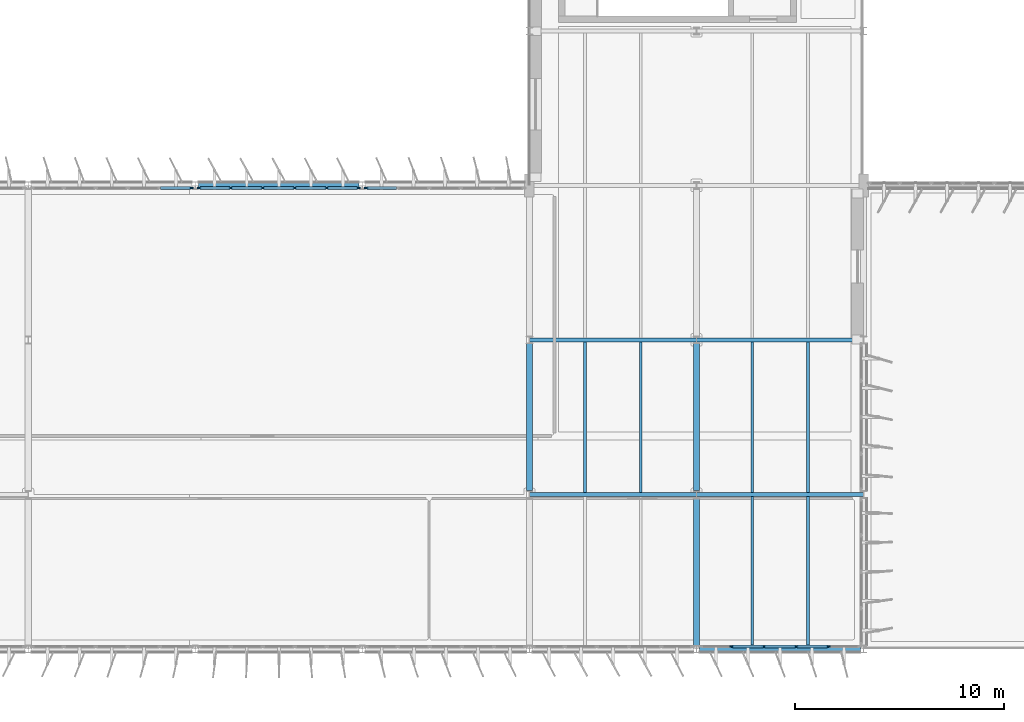
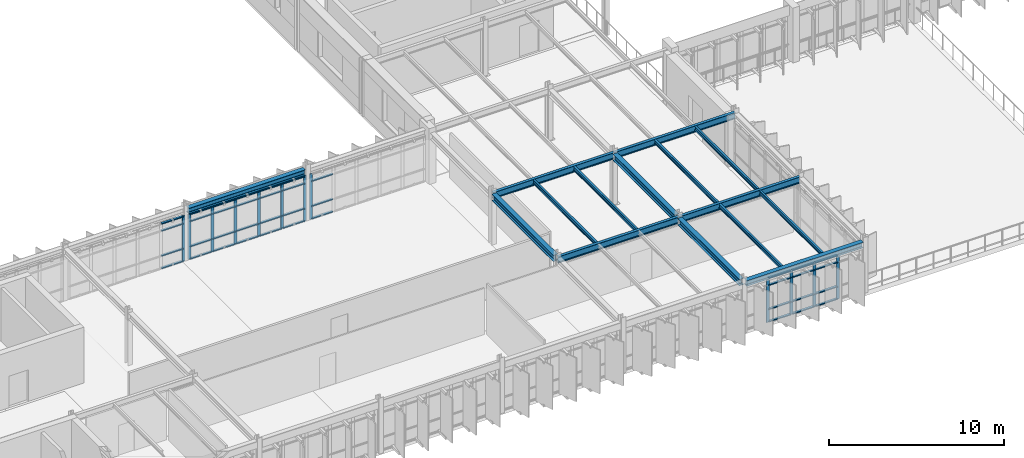
# One storey, part 16 of 45: 51 members, 15 beams, 4 elements without a shape of their own.
"""IFC4 building model written with IfcOpenShell, lengths in metres."""

from ifc_helpers import new_model, si_unit, direction, frame, origin, origin_2d, place, context, subcontext, project, spatial, rectangle, i_section, extrude, material, layer, layer_set, material_profile, profile_set, type_object, element, aggregate, save


model = new_model("IFC4")

# Units and contexts
model_context = context("Model", 3, precision=1e-05, world=origin(), true_north=direction((0.0, 1.0)))
body_context = subcontext(model_context, "Body", "Model", "MODEL_VIEW")
ifc_project = project(units=[si_unit("LENGTHUNIT", "METRE"), si_unit("AREAUNIT", "SQUARE_METRE"), si_unit("VOLUMEUNIT", "CUBIC_METRE"), si_unit("PLANEANGLEUNIT", "RADIAN"), si_unit("MASSUNIT", "GRAM", prefix="KILO")], contexts=[model_context])

# Site, building, storey
site_placement = place(None, origin())
site = spatial("IfcSite", under=ifc_project, at=site_placement, CompositionType="ELEMENT")
building_placement = place(site_placement, origin())
building = spatial("IfcBuilding", under=site, at=building_placement, Name="Valkorina Park Police Headquarters", CompositionType="ELEMENT")
storey_placement = place(building_placement, frame((0.0, 0.0, 23.300048828125)))
storey = spatial("IfcBuildingStorey", under=building, at=storey_placement, Name="L06", CompositionType="ELEMENT", Elevation=23.300048828125)

# Beams
ifc_material_1 = material(Name="Steel S355", Category="steel")
ifc_material_profile_1 = material_profile(ifc_material_1, i_section(OverallWidth=0.300048828125, OverallDepth=0.389892578125, WebThickness=0.010986328125, FlangeThickness=0.01904296875, FilletRadius=0.027099609375, at=origin_2d()), Name="HEA 400")
ifc_profile_set_1 = profile_set([ifc_material_profile_1], Name="Steel S355")
beam_type_1 = type_object("IfcBeamType", Name="BM-S355-HEA400-SPN", PredefinedType="SPANDREL", material=ifc_profile_set_1)
for number, where, z_axis, x_axis, name in (
    (1, (88.949951171875, 37.0, 3.375), (1.0, 0.0, 0.0), (0.0, 1.0, 0.0), "L06 Framing Beam 2613"),
    (2, (64.949951171875, 59.199951171875, 3.375), (1.0, 0.0, 0.0), (0.0, 1.0, 0.0), "L06 Framing Beam 2637"),
):
    element("IfcBeam", number, at=place(storey_placement, frame(where, z_axis=z_axis, x_axis=x_axis)), inside=storey, type_object=beam_type_1, Name=name, PredefinedType="SPANDREL", context=body_context, shape_type="SweptSolid", body=[
        extrude(i_section(OverallWidth=0.300048828125, OverallDepth=0.389892578125, WebThickness=0.010986328125, FlangeThickness=0.01904296875, FilletRadius=0.027099609375, at=origin_2d()), origin(), (0.0, 0.0, 1.0), 7.699951171875),
    ])
ifc_material_profile_2 = material_profile(ifc_material_1, i_section(OverallWidth=0.300048828125, OverallDepth=0.449951171875, WebThickness=0.013916015625, FlangeThickness=0.02587890625, FilletRadius=0.027099609375, at=origin_2d()), Name="HEB 450")
ifc_profile_set_2 = profile_set([ifc_material_profile_2], Name="Steel S355")
beam_type_2 = type_object("IfcBeamType", Name="BM-S355-HEB450-BM", PredefinedType="BEAM", material=ifc_profile_set_2)
for number, where, z_axis, x_axis, name in (
    (3, (80.800048828125, 44.580078125, 3.344970703125), (0.0, 1.0, 0.0), (-1.0, 0.0, 0.0), "L06 Framing Beam 2698"),
    (4, (88.800048828125, 37.179931640625, 3.344970703125), (0.0, 1.0, 0.0), (-1.0, 0.0, 0.0), "L06 Framing Beam 2708"),
    (5, (88.800048828125, 44.580078125, 3.344970703125), (0.0, 1.0, 0.0), (-1.0, 0.0, 0.0), "L06 Framing Beam 2711"),
):
    element("IfcBeam", number, at=place(storey_placement, frame(where, z_axis=z_axis, x_axis=x_axis)), inside=storey, type_object=beam_type_2, Name=name, PredefinedType="BEAM", context=body_context, shape_type="SweptSolid", body=[
        extrude(i_section(OverallWidth=0.300048828125, OverallDepth=0.449951171875, WebThickness=0.013916015625, FlangeThickness=0.02587890625, FilletRadius=0.027099609375, at=origin_2d()), origin(), (0.0, 0.0, 1.0), 7.0400390625),
    ])
ifc_material_profile_3 = material_profile(ifc_material_1, i_section(OverallWidth=0.135009765625, OverallDepth=0.27001953125, WebThickness=0.006591796875, FlangeThickness=0.01025390625, FilletRadius=0.014892578125, at=origin_2d()), Name="IPE 270")
ifc_profile_set_3 = profile_set([ifc_material_profile_3], Name="Steel S355")
beam_type_3 = type_object("IfcBeamType", Name="BM-S355-IPE270-JST", PredefinedType="JOIST", material=ifc_profile_set_3)
for number, where, z_axis, x_axis, name in (
    (6, (83.466796875, 44.4951171875, 3.43505859375), (0.0, 1.0, 0.0), (-1.0, 0.0, 0.0), "L06 Framing Beam 2699"),
    (7, (86.13330078125, 44.4951171875, 3.43505859375), (0.0, 1.0, 0.0), (-1.0, 0.0, 0.0), "L06 Framing Beam 2700"),
):
    element("IfcBeam", number, at=place(storey_placement, frame(where, z_axis=z_axis, x_axis=x_axis)), inside=storey, type_object=beam_type_3, Name=name, PredefinedType="JOIST", context=body_context, shape_type="SweptSolid", body=[
        extrude(i_section(OverallWidth=0.135009765625, OverallDepth=0.27001953125, WebThickness=0.006591796875, FlangeThickness=0.01025390625, FilletRadius=0.014892578125, at=origin_2d()), origin(), (0.0, 0.0, 1.0), 7.2099609375),
    ])
for number, where, z_axis, x_axis, name in (
    (8, (91.466796875, 37.14990234375, 3.43505859375), (0.0, 1.0, 0.0), (-1.0, 0.0, 0.0), "L06 Framing Beam 2709"),
    (9, (94.13330078125, 37.14990234375, 3.43505859375), (0.0, 1.0, 0.0), (-1.0, 0.0, 0.0), "L06 Framing Beam 2710"),
):
    element("IfcBeam", number, at=place(storey_placement, frame(where, z_axis=z_axis, x_axis=x_axis)), inside=storey, type_object=beam_type_3, Name=name, PredefinedType="JOIST", context=body_context, shape_type="SweptSolid", body=[
        extrude(i_section(OverallWidth=0.135009765625, OverallDepth=0.27001953125, WebThickness=0.006591796875, FlangeThickness=0.01025390625, FilletRadius=0.014892578125, at=origin_2d()), origin(), (0.0, 0.0, 1.0), 7.155029296875),
    ])
for number, where, z_axis, x_axis, name in (
    (10, (91.466796875, 44.4951171875, 3.43505859375), (0.0, 1.0, 0.0), (-1.0, 0.0, 0.0), "L06 Framing Beam 2712"),
    (11, (94.13330078125, 44.4951171875, 3.43505859375), (0.0, 1.0, 0.0), (-1.0, 0.0, 0.0), "L06 Framing Beam 2713"),
):
    element("IfcBeam", number, at=place(storey_placement, frame(where, z_axis=z_axis, x_axis=x_axis)), inside=storey, type_object=beam_type_3, Name=name, PredefinedType="JOIST", context=body_context, shape_type="SweptSolid", body=[
        extrude(i_section(OverallWidth=0.135009765625, OverallDepth=0.27001953125, WebThickness=0.006591796875, FlangeThickness=0.01025390625, FilletRadius=0.014892578125, at=origin_2d()), origin(), (0.0, 0.0, 1.0), 7.2099609375),
    ])
ifc_material_profile_4 = material_profile(ifc_material_1, i_section(OverallWidth=0.18994140625, OverallDepth=0.449951171875, WebThickness=0.009521484375, FlangeThickness=0.0146484375, FilletRadius=0.02099609375, at=origin_2d()), Name="IPE 450")
ifc_profile_set_4 = profile_set([ifc_material_profile_4], Name="Steel S355")
beam_type_4 = type_object("IfcBeamType", Name="BM-S355-IPE450-BM", PredefinedType="BEAM", material=ifc_profile_set_4)
for number, where, z_axis, x_axis, name in (
    (12, (80.806396484375, 44.39990234375, 3.344970703125), (1.0, 0.0, 0.0), (0.0, 1.0, 0.0), "L06 Framing Beam 2621"),
    (13, (88.806396484375, 44.39990234375, 3.344970703125), (1.0, 0.0, 0.0), (0.0, 1.0, 0.0), "L06 Framing Beam 2622"),
    (14, (80.806396484375, 51.800048828125, 3.344970703125), (1.0, 0.0, 0.0), (0.0, 1.0, 0.0), "L06 Framing Beam 2627"),
    (15, (88.806396484375, 51.800048828125, 3.344970703125), (1.0, 0.0, 0.0), (0.0, 1.0, 0.0), "L06 Framing Beam 2628"),
):
    element("IfcBeam", number, at=place(storey_placement, frame(where, z_axis=z_axis, x_axis=x_axis)), inside=storey, type_object=beam_type_4, Name=name, PredefinedType="BEAM", context=body_context, shape_type="SweptSolid", body=[
        extrude(i_section(OverallWidth=0.18994140625, OverallDepth=0.449951171875, WebThickness=0.009521484375, FlangeThickness=0.0146484375, FilletRadius=0.02099609375, at=origin_2d()), origin(), (0.0, 0.0, 1.0), 7.9873046875),
    ])

# Curtain wall, member
ifc_material_2 = material(Name="Thermally broken aluminium AW-6060", Category="aluminium")
ifc_layer_1 = layer(ifc_material_2, 0.18994140625)
ifc_layer_set_1 = layer_set([ifc_layer_1], Name="Thermally broken aluminium AW-6060")
curtain_wall_type_1 = type_object("IfcCurtainWallType", Name="CW-V5-7680x3170", PredefinedType="NOTDEFINED", material=ifc_layer_set_1)
curtain_wall_1_placement = place(storey_placement, origin())
curtain_wall_1 = element("IfcCurtainWall", 16, at=curtain_wall_1_placement, inside=storey, type_object=curtain_wall_type_1, Name="L06 Unitised Curtain Wall 107", PredefinedType="NOTDEFINED")
ifc_material_profile_5 = material_profile(ifc_material_2, rectangle(XDim=0.070068359375, YDim=0.18994140625, at=origin_2d()), Name="CWM-02 70x190")
ifc_profile_set_5 = profile_set([ifc_material_profile_5], Name="Thermally broken aluminium AW-6060")
member_type_1 = type_object("IfcMemberType", Name="CWM-70x190", PredefinedType="MULLION", material=ifc_profile_set_5)
member_1_placement = place(storey_placement, frame((64.60498046875, 59.080078125, 0.0), z_axis=(0.0, 0.0, 1.0), x_axis=(0.0, 1.0, 0.0)))
member_1 = element("IfcMember", 17, at=member_1_placement, type_object=member_type_1, Name="CW-V5-768-317 mullion 6", PredefinedType="MULLION", context=body_context, shape_type="SweptSolid", body=[
    extrude(rectangle(XDim=0.070068359375, YDim=0.18994140625, at=origin_2d()), origin(), (0.0, 0.0, 1.0), 3.169921875),
])

# Curtain wall, members
curtain_wall_2_placement = place(storey_placement, origin())
curtain_wall_2 = element("IfcCurtainWall", 18, at=curtain_wall_2_placement, inside=storey, type_object=curtain_wall_type_1, Name="L06 Unitised Curtain Wall 108", PredefinedType="NOTDEFINED")
member_2_placement = place(storey_placement, frame((64.9951171875, 59.080078125, 0.0), z_axis=(0.0, 0.0, 1.0), x_axis=(0.0, 1.0, 0.0)))
member_2 = element("IfcMember", 19, at=member_2_placement, type_object=member_type_1, Name="CW-V5-768-317 mullion 1", PredefinedType="MULLION", context=body_context, shape_type="SweptSolid", body=[
    extrude(rectangle(XDim=0.070068359375, YDim=0.18994140625, at=origin_2d()), origin(), (0.0, 0.0, 1.0), 3.169921875),
])
member_3_placement = place(storey_placement, frame((66.49609375, 59.080078125, 0.0), z_axis=(0.0, 0.0, 1.0), x_axis=(0.0, 1.0, 0.0)))
member_3 = element("IfcMember", 20, at=member_3_placement, type_object=member_type_1, Name="CW-V5-768-317 mullion 2", PredefinedType="MULLION", context=body_context, shape_type="SweptSolid", body=[
    extrude(rectangle(XDim=0.070068359375, YDim=0.18994140625, at=origin_2d()), origin(), (0.0, 0.0, 1.0), 3.169921875),
])
member_4_placement = place(storey_placement, frame((68.031982421875, 59.080078125, 0.0), z_axis=(0.0, 0.0, 1.0), x_axis=(0.0, 1.0, 0.0)))
member_4 = element("IfcMember", 21, at=member_4_placement, type_object=member_type_1, Name="CW-V5-768-317 mullion 3", PredefinedType="MULLION", context=body_context, shape_type="SweptSolid", body=[
    extrude(rectangle(XDim=0.070068359375, YDim=0.18994140625, at=origin_2d()), origin(), (0.0, 0.0, 1.0), 3.169921875),
])
member_5_placement = place(storey_placement, frame((69.568115234375, 59.080078125, 0.0), z_axis=(0.0, 0.0, 1.0), x_axis=(0.0, 1.0, 0.0)))
member_5 = element("IfcMember", 22, at=member_5_placement, type_object=member_type_1, Name="CW-V5-768-317 mullion 4", PredefinedType="MULLION", context=body_context, shape_type="SweptSolid", body=[
    extrude(rectangle(XDim=0.070068359375, YDim=0.18994140625, at=origin_2d()), origin(), (0.0, 0.0, 1.0), 3.169921875),
])
member_6_placement = place(storey_placement, frame((71.10400390625, 59.080078125, 0.0), z_axis=(0.0, 0.0, 1.0), x_axis=(0.0, 1.0, 0.0)))
member_6 = element("IfcMember", 23, at=member_6_placement, type_object=member_type_1, Name="CW-V5-768-317 mullion 5", PredefinedType="MULLION", context=body_context, shape_type="SweptSolid", body=[
    extrude(rectangle(XDim=0.070068359375, YDim=0.18994140625, at=origin_2d()), origin(), (0.0, 0.0, 1.0), 3.169921875),
])
member_7_placement = place(storey_placement, frame((72.60498046875, 59.080078125, 0.0), z_axis=(0.0, 0.0, 1.0), x_axis=(0.0, 1.0, 0.0)))
member_7 = element("IfcMember", 24, at=member_7_placement, type_object=member_type_1, Name="CW-V5-768-317 mullion 6", PredefinedType="MULLION", context=body_context, shape_type="SweptSolid", body=[
    extrude(rectangle(XDim=0.070068359375, YDim=0.18994140625, at=origin_2d()), origin(), (0.0, 0.0, 1.0), 3.169921875),
])

# Curtain wall, member
ifc_layer_2 = layer(ifc_material_2, 0.18994140625)
ifc_layer_set_2 = layer_set([ifc_layer_2], Name="Thermally broken aluminium AW-6060")
curtain_wall_type_2 = type_object("IfcCurtainWallType", Name="CW-V5-7600x3170", PredefinedType="NOTDEFINED", material=ifc_layer_set_2)
curtain_wall_3_placement = place(storey_placement, origin())
curtain_wall_3 = element("IfcCurtainWall", 25, at=curtain_wall_3_placement, inside=storey, type_object=curtain_wall_type_2, Name="L06 Unitised Curtain Wall 109", PredefinedType="NOTDEFINED")
member_8_placement = place(storey_placement, frame((72.9951171875, 59.080078125, 0.0), z_axis=(0.0, 0.0, 1.0), x_axis=(0.0, 1.0, 0.0)))
member_8 = element("IfcMember", 26, at=member_8_placement, type_object=member_type_1, Name="CW-V5-760-317 mullion 1", PredefinedType="MULLION", context=body_context, shape_type="SweptSolid", body=[
    extrude(rectangle(XDim=0.070068359375, YDim=0.18994140625, at=origin_2d()), origin(), (0.0, 0.0, 1.0), 3.169921875),
])

# Curtain wall, members
ifc_layer_3 = layer(ifc_material_2, 0.18994140625)
ifc_layer_set_3 = layer_set([ifc_layer_3], Name="Thermally broken aluminium AW-6060")
curtain_wall_type_3 = type_object("IfcCurtainWallType", Name="CW-V5-7680x3110", PredefinedType="NOTDEFINED", material=ifc_layer_set_3)
curtain_wall_4_placement = place(storey_placement, origin())
curtain_wall_4 = element("IfcCurtainWall", 27, at=curtain_wall_4_placement, inside=storey, type_object=curtain_wall_type_3, Name="L06 Unitised Curtain Wall 121", PredefinedType="NOTDEFINED")
member_9_placement = place(storey_placement, frame((95.10400390625, 37.1201171875, 0.0), z_axis=(0.0, 0.0, 1.0), x_axis=(0.0, -1.0, 0.0)))
member_9 = element("IfcMember", 28, at=member_9_placement, type_object=member_type_1, Name="CW-V5-768-311 mullion 2", PredefinedType="MULLION", context=body_context, shape_type="SweptSolid", body=[
    extrude(rectangle(XDim=0.070068359375, YDim=0.18994140625, at=origin_2d()), origin(), (0.0, 0.0, 1.0), 3.10986328125),
])
member_10_placement = place(storey_placement, frame((93.568115234375, 37.1201171875, 0.0), z_axis=(0.0, 0.0, 1.0), x_axis=(0.0, -1.0, 0.0)))
member_10 = element("IfcMember", 29, at=member_10_placement, type_object=member_type_1, Name="CW-V5-768-311 mullion 3", PredefinedType="MULLION", context=body_context, shape_type="SweptSolid", body=[
    extrude(rectangle(XDim=0.070068359375, YDim=0.18994140625, at=origin_2d()), origin(), (0.0, 0.0, 1.0), 3.10986328125),
])
member_11_placement = place(storey_placement, frame((92.031982421875, 37.1201171875, 0.0), z_axis=(0.0, 0.0, 1.0), x_axis=(0.0, -1.0, 0.0)))
member_11 = element("IfcMember", 30, at=member_11_placement, type_object=member_type_1, Name="CW-V5-768-311 mullion 4", PredefinedType="MULLION", context=body_context, shape_type="SweptSolid", body=[
    extrude(rectangle(XDim=0.070068359375, YDim=0.18994140625, at=origin_2d()), origin(), (0.0, 0.0, 1.0), 3.10986328125),
])
member_12_placement = place(storey_placement, frame((90.49609375, 37.1201171875, 0.0), z_axis=(0.0, 0.0, 1.0), x_axis=(0.0, -1.0, 0.0)))
member_12 = element("IfcMember", 31, at=member_12_placement, type_object=member_type_1, Name="CW-V5-768-311 mullion 5", PredefinedType="MULLION", context=body_context, shape_type="SweptSolid", body=[
    extrude(rectangle(XDim=0.070068359375, YDim=0.18994140625, at=origin_2d()), origin(), (0.0, 0.0, 1.0), 3.10986328125),
])

# Member
ifc_material_profile_6 = material_profile(ifc_material_2, rectangle(XDim=0.14990234375, YDim=0.070068359375, at=origin_2d()), Name="CWT-02 150x70")
ifc_profile_set_6 = profile_set([ifc_material_profile_6], Name="Thermally broken aluminium AW-6060")
member_type_2 = type_object("IfcMemberType", Name="CWT-150x70", PredefinedType="USERDEFINED", material=ifc_profile_set_6)
member_13_placement = place(storey_placement, frame((63.138916015625, 59.080078125, 0.034912109375), z_axis=(1.0, 0.0, 0.0), x_axis=(0.0, 1.0, 0.0)))
member_13 = element("IfcMember", 32, at=member_13_placement, type_object=member_type_2, Name="CW-V5-768-317 transom 5.1", ObjectType="TRANSOM", PredefinedType="USERDEFINED", context=body_context, shape_type="SweptSolid", body=[
    extrude(rectangle(XDim=0.14990234375, YDim=0.070068359375, at=origin_2d()), origin(), (0.0, 0.0, 1.0), 1.43115234375),
])

member_14_placement = place(storey_placement, frame((63.138916015625, 59.080078125, 0.89990234375), z_axis=(1.0, 0.0, 0.0), x_axis=(0.0, 1.0, 0.0)))
member_14 = element("IfcMember", 33, at=member_14_placement, type_object=member_type_2, Name="CW-V5-768-317 transom 5.2", ObjectType="TRANSOM", PredefinedType="USERDEFINED", context=body_context, shape_type="SweptSolid", body=[
    extrude(rectangle(XDim=0.14990234375, YDim=0.070068359375, at=origin_2d()), origin(), (0.0, 0.0, 1.0), 1.43115234375),
])

member_15_placement = place(storey_placement, frame((63.138916015625, 59.080078125, 2.64990234375), z_axis=(1.0, 0.0, 0.0), x_axis=(0.0, 1.0, 0.0)))
member_15 = element("IfcMember", 34, at=member_15_placement, type_object=member_type_2, Name="CW-V5-768-317 transom 5.3", ObjectType="TRANSOM", PredefinedType="USERDEFINED", context=body_context, shape_type="SweptSolid", body=[
    extrude(rectangle(XDim=0.14990234375, YDim=0.070068359375, at=origin_2d()), origin(), (0.0, 0.0, 1.0), 1.43115234375),
])

member_16_placement = place(storey_placement, frame((63.138916015625, 59.080078125, 3.135009765625), z_axis=(1.0, 0.0, 0.0), x_axis=(0.0, 1.0, 0.0)))
member_16 = element("IfcMember", 35, at=member_16_placement, type_object=member_type_2, Name="CW-V5-768-317 transom 5.4", ObjectType="TRANSOM", PredefinedType="USERDEFINED", context=body_context, shape_type="SweptSolid", body=[
    extrude(rectangle(XDim=0.14990234375, YDim=0.070068359375, at=origin_2d()), origin(), (0.0, 0.0, 1.0), 1.43115234375),
])

aggregate(curtain_wall_1, [member_1, member_13, member_14, member_15, member_16])

member_17_placement = place(storey_placement, frame((65.030029296875, 59.080078125, 0.034912109375), z_axis=(1.0, 0.0, 0.0), x_axis=(0.0, 1.0, 0.0)))
member_17 = element("IfcMember", 36, at=member_17_placement, type_object=member_type_2, Name="CW-V5-768-317 transom 1.1", ObjectType="TRANSOM", PredefinedType="USERDEFINED", context=body_context, shape_type="SweptSolid", body=[
    extrude(rectangle(XDim=0.14990234375, YDim=0.070068359375, at=origin_2d()), origin(), (0.0, 0.0, 1.0), 1.430908203125),
])

member_18_placement = place(storey_placement, frame((65.030029296875, 59.080078125, 0.89990234375), z_axis=(1.0, 0.0, 0.0), x_axis=(0.0, 1.0, 0.0)))
member_18 = element("IfcMember", 37, at=member_18_placement, type_object=member_type_2, Name="CW-V5-768-317 transom 1.2", ObjectType="TRANSOM", PredefinedType="USERDEFINED", context=body_context, shape_type="SweptSolid", body=[
    extrude(rectangle(XDim=0.14990234375, YDim=0.070068359375, at=origin_2d()), origin(), (0.0, 0.0, 1.0), 1.430908203125),
])

member_19_placement = place(storey_placement, frame((65.030029296875, 59.080078125, 2.64990234375), z_axis=(1.0, 0.0, 0.0), x_axis=(0.0, 1.0, 0.0)))
member_19 = element("IfcMember", 38, at=member_19_placement, type_object=member_type_2, Name="CW-V5-768-317 transom 1.3", ObjectType="TRANSOM", PredefinedType="USERDEFINED", context=body_context, shape_type="SweptSolid", body=[
    extrude(rectangle(XDim=0.14990234375, YDim=0.070068359375, at=origin_2d()), origin(), (0.0, 0.0, 1.0), 1.430908203125),
])

member_20_placement = place(storey_placement, frame((65.030029296875, 59.080078125, 3.135009765625), z_axis=(1.0, 0.0, 0.0), x_axis=(0.0, 1.0, 0.0)))
member_20 = element("IfcMember", 39, at=member_20_placement, type_object=member_type_2, Name="CW-V5-768-317 transom 1.4", ObjectType="TRANSOM", PredefinedType="USERDEFINED", context=body_context, shape_type="SweptSolid", body=[
    extrude(rectangle(XDim=0.14990234375, YDim=0.070068359375, at=origin_2d()), origin(), (0.0, 0.0, 1.0), 1.430908203125),
])

member_21_placement = place(storey_placement, frame((66.531005859375, 59.080078125, 0.034912109375), z_axis=(1.0, 0.0, 0.0), x_axis=(0.0, 1.0, 0.0)))
member_21 = element("IfcMember", 40, at=member_21_placement, type_object=member_type_2, Name="CW-V5-768-317 transom 2.1", ObjectType="TRANSOM", PredefinedType="USERDEFINED", context=body_context, shape_type="SweptSolid", body=[
    extrude(rectangle(XDim=0.14990234375, YDim=0.070068359375, at=origin_2d()), origin(), (0.0, 0.0, 1.0), 1.466064453125),
])

member_22_placement = place(storey_placement, frame((66.531005859375, 59.080078125, 0.89990234375), z_axis=(1.0, 0.0, 0.0), x_axis=(0.0, 1.0, 0.0)))
member_22 = element("IfcMember", 41, at=member_22_placement, type_object=member_type_2, Name="CW-V5-768-317 transom 2.2", ObjectType="TRANSOM", PredefinedType="USERDEFINED", context=body_context, shape_type="SweptSolid", body=[
    extrude(rectangle(XDim=0.14990234375, YDim=0.070068359375, at=origin_2d()), origin(), (0.0, 0.0, 1.0), 1.466064453125),
])

member_23_placement = place(storey_placement, frame((66.531005859375, 59.080078125, 2.64990234375), z_axis=(1.0, 0.0, 0.0), x_axis=(0.0, 1.0, 0.0)))
member_23 = element("IfcMember", 42, at=member_23_placement, type_object=member_type_2, Name="CW-V5-768-317 transom 2.3", ObjectType="TRANSOM", PredefinedType="USERDEFINED", context=body_context, shape_type="SweptSolid", body=[
    extrude(rectangle(XDim=0.14990234375, YDim=0.070068359375, at=origin_2d()), origin(), (0.0, 0.0, 1.0), 1.466064453125),
])

member_24_placement = place(storey_placement, frame((66.531005859375, 59.080078125, 3.135009765625), z_axis=(1.0, 0.0, 0.0), x_axis=(0.0, 1.0, 0.0)))
member_24 = element("IfcMember", 43, at=member_24_placement, type_object=member_type_2, Name="CW-V5-768-317 transom 2.4", ObjectType="TRANSOM", PredefinedType="USERDEFINED", context=body_context, shape_type="SweptSolid", body=[
    extrude(rectangle(XDim=0.14990234375, YDim=0.070068359375, at=origin_2d()), origin(), (0.0, 0.0, 1.0), 1.466064453125),
])

member_25_placement = place(storey_placement, frame((68.06689453125, 59.080078125, 0.034912109375), z_axis=(1.0, 0.0, 0.0), x_axis=(0.0, 1.0, 0.0)))
member_25 = element("IfcMember", 44, at=member_25_placement, type_object=member_type_2, Name="CW-V5-768-317 transom 3.1", ObjectType="TRANSOM", PredefinedType="USERDEFINED", context=body_context, shape_type="SweptSolid", body=[
    extrude(rectangle(XDim=0.14990234375, YDim=0.070068359375, at=origin_2d()), origin(), (0.0, 0.0, 1.0), 1.466064453125),
])

member_26_placement = place(storey_placement, frame((68.06689453125, 59.080078125, 0.89990234375), z_axis=(1.0, 0.0, 0.0), x_axis=(0.0, 1.0, 0.0)))
member_26 = element("IfcMember", 45, at=member_26_placement, type_object=member_type_2, Name="CW-V5-768-317 transom 3.2", ObjectType="TRANSOM", PredefinedType="USERDEFINED", context=body_context, shape_type="SweptSolid", body=[
    extrude(rectangle(XDim=0.14990234375, YDim=0.070068359375, at=origin_2d()), origin(), (0.0, 0.0, 1.0), 1.466064453125),
])

member_27_placement = place(storey_placement, frame((68.06689453125, 59.080078125, 2.64990234375), z_axis=(1.0, 0.0, 0.0), x_axis=(0.0, 1.0, 0.0)))
member_27 = element("IfcMember", 46, at=member_27_placement, type_object=member_type_2, Name="CW-V5-768-317 transom 3.3", ObjectType="TRANSOM", PredefinedType="USERDEFINED", context=body_context, shape_type="SweptSolid", body=[
    extrude(rectangle(XDim=0.14990234375, YDim=0.070068359375, at=origin_2d()), origin(), (0.0, 0.0, 1.0), 1.466064453125),
])

member_28_placement = place(storey_placement, frame((68.06689453125, 59.080078125, 3.135009765625), z_axis=(1.0, 0.0, 0.0), x_axis=(0.0, 1.0, 0.0)))
member_28 = element("IfcMember", 47, at=member_28_placement, type_object=member_type_2, Name="CW-V5-768-317 transom 3.4", ObjectType="TRANSOM", PredefinedType="USERDEFINED", context=body_context, shape_type="SweptSolid", body=[
    extrude(rectangle(XDim=0.14990234375, YDim=0.070068359375, at=origin_2d()), origin(), (0.0, 0.0, 1.0), 1.466064453125),
])

member_29_placement = place(storey_placement, frame((69.60302734375, 59.080078125, 0.034912109375), z_axis=(1.0, 0.0, 0.0), x_axis=(0.0, 1.0, 0.0)))
member_29 = element("IfcMember", 48, at=member_29_placement, type_object=member_type_2, Name="CW-V5-768-317 transom 4.1", ObjectType="TRANSOM", PredefinedType="USERDEFINED", context=body_context, shape_type="SweptSolid", body=[
    extrude(rectangle(XDim=0.14990234375, YDim=0.070068359375, at=origin_2d()), origin(), (0.0, 0.0, 1.0), 1.466064453125),
])

member_30_placement = place(storey_placement, frame((69.60302734375, 59.080078125, 0.89990234375), z_axis=(1.0, 0.0, 0.0), x_axis=(0.0, 1.0, 0.0)))
member_30 = element("IfcMember", 49, at=member_30_placement, type_object=member_type_2, Name="CW-V5-768-317 transom 4.2", ObjectType="TRANSOM", PredefinedType="USERDEFINED", context=body_context, shape_type="SweptSolid", body=[
    extrude(rectangle(XDim=0.14990234375, YDim=0.070068359375, at=origin_2d()), origin(), (0.0, 0.0, 1.0), 1.466064453125),
])

member_31_placement = place(storey_placement, frame((69.60302734375, 59.080078125, 2.64990234375), z_axis=(1.0, 0.0, 0.0), x_axis=(0.0, 1.0, 0.0)))
member_31 = element("IfcMember", 50, at=member_31_placement, type_object=member_type_2, Name="CW-V5-768-317 transom 4.3", ObjectType="TRANSOM", PredefinedType="USERDEFINED", context=body_context, shape_type="SweptSolid", body=[
    extrude(rectangle(XDim=0.14990234375, YDim=0.070068359375, at=origin_2d()), origin(), (0.0, 0.0, 1.0), 1.466064453125),
])

member_32_placement = place(storey_placement, frame((69.60302734375, 59.080078125, 3.135009765625), z_axis=(1.0, 0.0, 0.0), x_axis=(0.0, 1.0, 0.0)))
member_32 = element("IfcMember", 51, at=member_32_placement, type_object=member_type_2, Name="CW-V5-768-317 transom 4.4", ObjectType="TRANSOM", PredefinedType="USERDEFINED", context=body_context, shape_type="SweptSolid", body=[
    extrude(rectangle(XDim=0.14990234375, YDim=0.070068359375, at=origin_2d()), origin(), (0.0, 0.0, 1.0), 1.466064453125),
])

member_33_placement = place(storey_placement, frame((71.138916015625, 59.080078125, 0.034912109375), z_axis=(1.0, 0.0, 0.0), x_axis=(0.0, 1.0, 0.0)))
member_33 = element("IfcMember", 52, at=member_33_placement, type_object=member_type_2, Name="CW-V5-768-317 transom 5.1", ObjectType="TRANSOM", PredefinedType="USERDEFINED", context=body_context, shape_type="SweptSolid", body=[
    extrude(rectangle(XDim=0.14990234375, YDim=0.070068359375, at=origin_2d()), origin(), (0.0, 0.0, 1.0), 1.43115234375),
])

member_34_placement = place(storey_placement, frame((71.138916015625, 59.080078125, 0.89990234375), z_axis=(1.0, 0.0, 0.0), x_axis=(0.0, 1.0, 0.0)))
member_34 = element("IfcMember", 53, at=member_34_placement, type_object=member_type_2, Name="CW-V5-768-317 transom 5.2", ObjectType="TRANSOM", PredefinedType="USERDEFINED", context=body_context, shape_type="SweptSolid", body=[
    extrude(rectangle(XDim=0.14990234375, YDim=0.070068359375, at=origin_2d()), origin(), (0.0, 0.0, 1.0), 1.43115234375),
])

member_35_placement = place(storey_placement, frame((71.138916015625, 59.080078125, 2.64990234375), z_axis=(1.0, 0.0, 0.0), x_axis=(0.0, 1.0, 0.0)))
member_35 = element("IfcMember", 54, at=member_35_placement, type_object=member_type_2, Name="CW-V5-768-317 transom 5.3", ObjectType="TRANSOM", PredefinedType="USERDEFINED", context=body_context, shape_type="SweptSolid", body=[
    extrude(rectangle(XDim=0.14990234375, YDim=0.070068359375, at=origin_2d()), origin(), (0.0, 0.0, 1.0), 1.43115234375),
])

member_36_placement = place(storey_placement, frame((71.138916015625, 59.080078125, 3.135009765625), z_axis=(1.0, 0.0, 0.0), x_axis=(0.0, 1.0, 0.0)))
member_36 = element("IfcMember", 55, at=member_36_placement, type_object=member_type_2, Name="CW-V5-768-317 transom 5.4", ObjectType="TRANSOM", PredefinedType="USERDEFINED", context=body_context, shape_type="SweptSolid", body=[
    extrude(rectangle(XDim=0.14990234375, YDim=0.070068359375, at=origin_2d()), origin(), (0.0, 0.0, 1.0), 1.43115234375),
])

aggregate(curtain_wall_2, [member_2, member_3, member_4, member_5, member_6, member_7, member_17, member_18, member_19, member_20, member_21, member_22, member_23, member_24, member_25, member_26, member_27, member_28, member_29, member_30, member_31, member_32, member_33, member_34, member_35, member_36])

member_37_placement = place(storey_placement, frame((73.030029296875, 59.080078125, 0.034912109375), z_axis=(1.0, 0.0, 0.0), x_axis=(0.0, 1.0, 0.0)))
member_37 = element("IfcMember", 56, at=member_37_placement, type_object=member_type_2, Name="CW-V5-760-317 transom 1.1", ObjectType="TRANSOM", PredefinedType="USERDEFINED", context=body_context, shape_type="SweptSolid", body=[
    extrude(rectangle(XDim=0.14990234375, YDim=0.070068359375, at=origin_2d()), origin(), (0.0, 0.0, 1.0), 1.416015625),
])

member_38_placement = place(storey_placement, frame((73.030029296875, 59.080078125, 0.89990234375), z_axis=(1.0, 0.0, 0.0), x_axis=(0.0, 1.0, 0.0)))
member_38 = element("IfcMember", 57, at=member_38_placement, type_object=member_type_2, Name="CW-V5-760-317 transom 1.2", ObjectType="TRANSOM", PredefinedType="USERDEFINED", context=body_context, shape_type="SweptSolid", body=[
    extrude(rectangle(XDim=0.14990234375, YDim=0.070068359375, at=origin_2d()), origin(), (0.0, 0.0, 1.0), 1.416015625),
])

member_39_placement = place(storey_placement, frame((73.030029296875, 59.080078125, 2.64990234375), z_axis=(1.0, 0.0, 0.0), x_axis=(0.0, 1.0, 0.0)))
member_39 = element("IfcMember", 58, at=member_39_placement, type_object=member_type_2, Name="CW-V5-760-317 transom 1.3", ObjectType="TRANSOM", PredefinedType="USERDEFINED", context=body_context, shape_type="SweptSolid", body=[
    extrude(rectangle(XDim=0.14990234375, YDim=0.070068359375, at=origin_2d()), origin(), (0.0, 0.0, 1.0), 1.416015625),
])

aggregate(curtain_wall_3, [member_8, member_37, member_38, member_39])

member_40_placement = place(storey_placement, frame((95.069091796875, 37.1201171875, 0.034912109375), z_axis=(-1.0, 0.0, 0.0), x_axis=(0.0, -1.0, 0.0)))
member_40 = element("IfcMember", 59, at=member_40_placement, type_object=member_type_2, Name="CW-V5-768-311 transom 2.1", ObjectType="TRANSOM", PredefinedType="USERDEFINED", context=body_context, shape_type="SweptSolid", body=[
    extrude(rectangle(XDim=0.14990234375, YDim=0.070068359375, at=origin_2d()), origin(), (0.0, 0.0, 1.0), 1.466064453125),
])

member_41_placement = place(storey_placement, frame((95.069091796875, 37.1201171875, 0.89990234375), z_axis=(-1.0, 0.0, 0.0), x_axis=(0.0, -1.0, 0.0)))
member_41 = element("IfcMember", 60, at=member_41_placement, type_object=member_type_2, Name="CW-V5-768-311 transom 2.2", ObjectType="TRANSOM", PredefinedType="USERDEFINED", context=body_context, shape_type="SweptSolid", body=[
    extrude(rectangle(XDim=0.14990234375, YDim=0.070068359375, at=origin_2d()), origin(), (0.0, 0.0, 1.0), 1.466064453125),
])

member_42_placement = place(storey_placement, frame((95.069091796875, 37.1201171875, 2.58984375), z_axis=(-1.0, 0.0, 0.0), x_axis=(0.0, -1.0, 0.0)))
member_42 = element("IfcMember", 61, at=member_42_placement, type_object=member_type_2, Name="CW-V5-768-311 transom 2.3", ObjectType="TRANSOM", PredefinedType="USERDEFINED", context=body_context, shape_type="SweptSolid", body=[
    extrude(rectangle(XDim=0.14990234375, YDim=0.070068359375, at=origin_2d()), origin(), (0.0, 0.0, 1.0), 1.466064453125),
])

member_43_placement = place(storey_placement, frame((95.069091796875, 37.1201171875, 3.074951171875), z_axis=(-1.0, 0.0, 0.0), x_axis=(0.0, -1.0, 0.0)))
member_43 = element("IfcMember", 62, at=member_43_placement, type_object=member_type_2, Name="CW-V5-768-311 transom 2.4", ObjectType="TRANSOM", PredefinedType="USERDEFINED", context=body_context, shape_type="SweptSolid", body=[
    extrude(rectangle(XDim=0.14990234375, YDim=0.070068359375, at=origin_2d()), origin(), (0.0, 0.0, 1.0), 1.466064453125),
])

member_44_placement = place(storey_placement, frame((93.532958984375, 37.1201171875, 0.034912109375), z_axis=(-1.0, 0.0, 0.0), x_axis=(0.0, -1.0, 0.0)))
member_44 = element("IfcMember", 63, at=member_44_placement, type_object=member_type_2, Name="CW-V5-768-311 transom 3.1", ObjectType="TRANSOM", PredefinedType="USERDEFINED", context=body_context, shape_type="SweptSolid", body=[
    extrude(rectangle(XDim=0.14990234375, YDim=0.070068359375, at=origin_2d()), origin(), (0.0, 0.0, 1.0), 1.466064453125),
])

member_45_placement = place(storey_placement, frame((93.532958984375, 37.1201171875, 0.89990234375), z_axis=(-1.0, 0.0, 0.0), x_axis=(0.0, -1.0, 0.0)))
member_45 = element("IfcMember", 64, at=member_45_placement, type_object=member_type_2, Name="CW-V5-768-311 transom 3.2", ObjectType="TRANSOM", PredefinedType="USERDEFINED", context=body_context, shape_type="SweptSolid", body=[
    extrude(rectangle(XDim=0.14990234375, YDim=0.070068359375, at=origin_2d()), origin(), (0.0, 0.0, 1.0), 1.466064453125),
])

member_46_placement = place(storey_placement, frame((93.532958984375, 37.1201171875, 2.58984375), z_axis=(-1.0, 0.0, 0.0), x_axis=(0.0, -1.0, 0.0)))
member_46 = element("IfcMember", 65, at=member_46_placement, type_object=member_type_2, Name="CW-V5-768-311 transom 3.3", ObjectType="TRANSOM", PredefinedType="USERDEFINED", context=body_context, shape_type="SweptSolid", body=[
    extrude(rectangle(XDim=0.14990234375, YDim=0.070068359375, at=origin_2d()), origin(), (0.0, 0.0, 1.0), 1.466064453125),
])

member_47_placement = place(storey_placement, frame((93.532958984375, 37.1201171875, 3.074951171875), z_axis=(-1.0, 0.0, 0.0), x_axis=(0.0, -1.0, 0.0)))
member_47 = element("IfcMember", 66, at=member_47_placement, type_object=member_type_2, Name="CW-V5-768-311 transom 3.4", ObjectType="TRANSOM", PredefinedType="USERDEFINED", context=body_context, shape_type="SweptSolid", body=[
    extrude(rectangle(XDim=0.14990234375, YDim=0.070068359375, at=origin_2d()), origin(), (0.0, 0.0, 1.0), 1.466064453125),
])

member_48_placement = place(storey_placement, frame((91.9970703125, 37.1201171875, 0.034912109375), z_axis=(-1.0, 0.0, 0.0), x_axis=(0.0, -1.0, 0.0)))
member_48 = element("IfcMember", 67, at=member_48_placement, type_object=member_type_2, Name="CW-V5-768-311 transom 4.1", ObjectType="TRANSOM", PredefinedType="USERDEFINED", context=body_context, shape_type="SweptSolid", body=[
    extrude(rectangle(XDim=0.14990234375, YDim=0.070068359375, at=origin_2d()), origin(), (0.0, 0.0, 1.0), 1.466064453125),
])

member_49_placement = place(storey_placement, frame((91.9970703125, 37.1201171875, 0.89990234375), z_axis=(-1.0, 0.0, 0.0), x_axis=(0.0, -1.0, 0.0)))
member_49 = element("IfcMember", 68, at=member_49_placement, type_object=member_type_2, Name="CW-V5-768-311 transom 4.2", ObjectType="TRANSOM", PredefinedType="USERDEFINED", context=body_context, shape_type="SweptSolid", body=[
    extrude(rectangle(XDim=0.14990234375, YDim=0.070068359375, at=origin_2d()), origin(), (0.0, 0.0, 1.0), 1.466064453125),
])

member_50_placement = place(storey_placement, frame((91.9970703125, 37.1201171875, 2.58984375), z_axis=(-1.0, 0.0, 0.0), x_axis=(0.0, -1.0, 0.0)))
member_50 = element("IfcMember", 69, at=member_50_placement, type_object=member_type_2, Name="CW-V5-768-311 transom 4.3", ObjectType="TRANSOM", PredefinedType="USERDEFINED", context=body_context, shape_type="SweptSolid", body=[
    extrude(rectangle(XDim=0.14990234375, YDim=0.070068359375, at=origin_2d()), origin(), (0.0, 0.0, 1.0), 1.466064453125),
])

member_51_placement = place(storey_placement, frame((91.9970703125, 37.1201171875, 3.074951171875), z_axis=(-1.0, 0.0, 0.0), x_axis=(0.0, -1.0, 0.0)))
member_51 = element("IfcMember", 70, at=member_51_placement, type_object=member_type_2, Name="CW-V5-768-311 transom 4.4", ObjectType="TRANSOM", PredefinedType="USERDEFINED", context=body_context, shape_type="SweptSolid", body=[
    extrude(rectangle(XDim=0.14990234375, YDim=0.070068359375, at=origin_2d()), origin(), (0.0, 0.0, 1.0), 1.466064453125),
])

aggregate(curtain_wall_4, [member_9, member_10, member_11, member_12, member_40, member_41, member_42, member_43, member_44, member_45, member_46, member_47, member_48, member_49, member_50, member_51])

save(model, "model.ifc")
